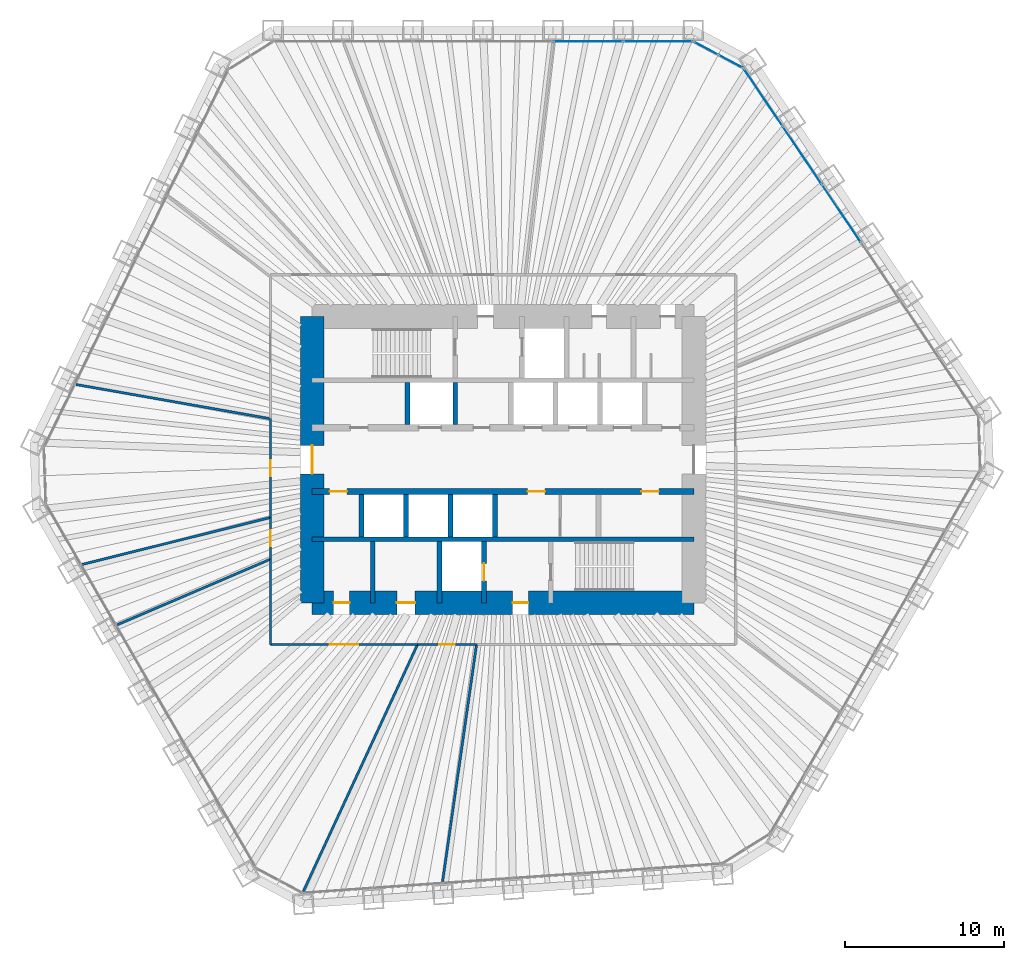
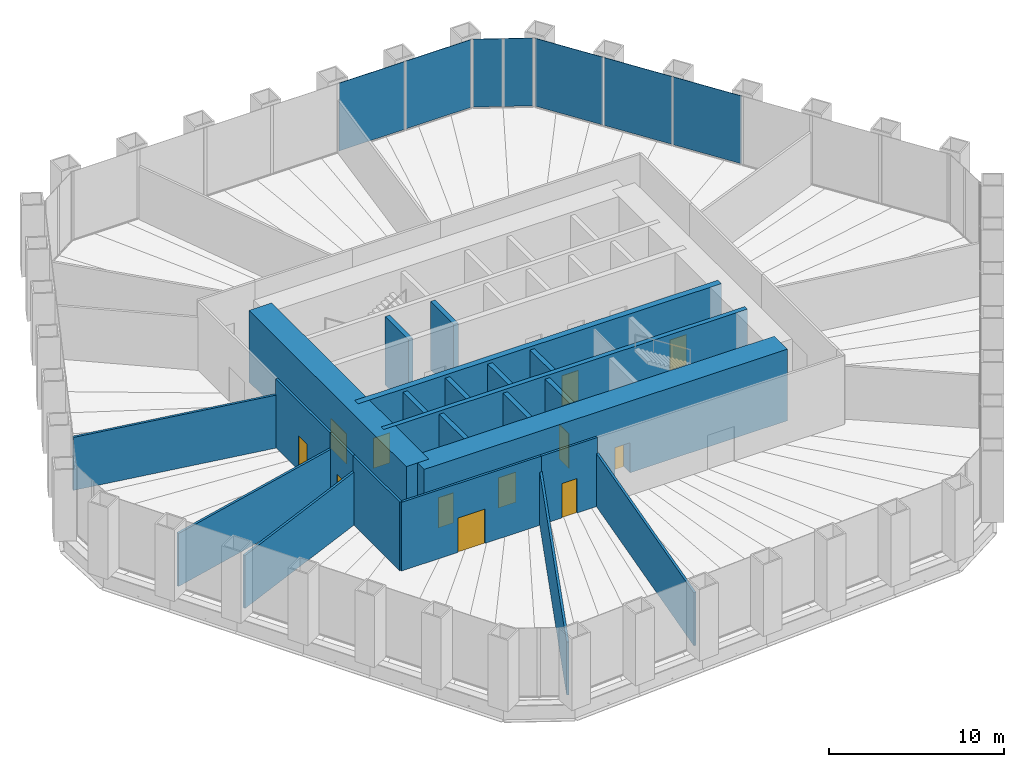
# One storey, part 10 of 13: 23 walls, 12 doors, 7 plates, 12 openings, 3 elements without a shape of their own.
"""IFC4 building model written with IfcOpenShell, lengths in metres."""

import ifcopenshell
import ifcopenshell.guid

model = None  # the IFC model being written
_history = None  # IfcOwnerHistory: only IFC2X3 demands one
_inside = {}  # id of a spatial element -> (the spatial element, [elements in it])
_under = {}  # id of a project, library or spatial element -> (it, [spatial elements below it])
_declared = {}  # id of a project -> (the project, [libraries it declares])
_typed = {}  # id of a type object -> (the type object, [elements of that type])
_made_of = {}  # id of a material, layer set ... -> (it, [elements and type objects made of it])


def new_model(schema):
    """Start an empty IFC model of exactly this schema.

    Asked for "IFC4X3", IfcOpenShell would pick the latest addendum, in which some entities
    have other attributes; the version numbers below select the first issue.
    IFC2X3 requires an IfcOwnerHistory on every rooted entity: one is made here for all.
    """
    global model, _history
    if schema == "IFC4X3":
        model = ifcopenshell.file(schema_version=(4, 3, 0, 0))
    else:
        model = ifcopenshell.file(schema=schema)
    _inside.clear()
    _under.clear()
    _declared.clear()
    _typed.clear()
    _made_of.clear()
    _history = None
    if model.schema == "IFC2X3":
        org = make("IfcOrganization", Name="unknown")
        user = make(
            "IfcPersonAndOrganization",
            ThePerson=make("IfcPerson", FamilyName="unknown"),
            TheOrganization=org,
        )
        app = make(
            "IfcApplication",
            ApplicationDeveloper=org,
            Version="unknown",
            ApplicationFullName="unknown",
            ApplicationIdentifier="unknown",
        )
        _history = make(
            "IfcOwnerHistory",
            OwningUser=user,
            OwningApplication=app,
            ChangeAction="ADDED",
            CreationDate=0,
        )
    return model


def make(cls, **values):
    """One entity of the class cls with the attributes given. An attribute that is None is left unset."""
    return model.create_entity(
        cls, **{name: value for name, value in values.items() if value is not None}
    )


def rooted(cls, **values):
    """An entity with a GlobalId (a new one), such as an element, a storey or a relation."""
    return make(cls, GlobalId=ifcopenshell.guid.new(), OwnerHistory=_history, **values)


def si_unit(unit_type, name, prefix=None):
    """IfcSIUnit, for example si_unit("LENGTHUNIT", "METRE", prefix="MILLI")."""
    return make("IfcSIUnit", UnitType=unit_type, Prefix=prefix, Name=name)


def assignment(units):
    """IfcUnitAssignment: the units of a project."""
    return None if units is None else make("IfcUnitAssignment", Units=units)


def point(xyz):
    """IfcCartesianPoint."""
    return None if xyz is None else make("IfcCartesianPoint", Coordinates=xyz)


def direction(xyz):
    """IfcDirection."""
    return None if xyz is None else make("IfcDirection", DirectionRatios=xyz)


def frame(location, z_axis=None, x_axis=None):
    """IfcAxis2Placement3D, a coordinate frame: its origin and axes. An axis left out is left unset."""
    return make(
        "IfcAxis2Placement3D",
        Location=point(location),
        Axis=direction(z_axis),
        RefDirection=direction(x_axis),
    )


def frame_2d(location, x_axis=None):
    """IfcAxis2Placement2D, a coordinate frame in the plane: its origin and x axis."""
    return make(
        "IfcAxis2Placement2D", Location=point(location), RefDirection=direction(x_axis)
    )


def origin():
    """The frame at (0, 0, 0) with its axes left unset."""
    return frame((0.0, 0.0, 0.0))


def origin_2d():
    """The frame at (0, 0) in the plane with its x axis left unset."""
    return frame_2d((0.0, 0.0))


def place(relative_to, where):
    """IfcLocalPlacement: puts the frame where relative to a parent placement (None: the world)."""
    return make(
        "IfcLocalPlacement", PlacementRelTo=relative_to, RelativePlacement=where
    )


def context(
    kind, dimensions, precision=None, world=None, true_north=None, identifier=None
):
    """IfcGeometricRepresentationContext, for example the 3D "Model" context."""
    return make(
        "IfcGeometricRepresentationContext",
        ContextIdentifier=identifier,
        ContextType=kind,
        CoordinateSpaceDimension=dimensions,
        Precision=precision,
        WorldCoordinateSystem=world,
        TrueNorth=true_north,
    )


def subcontext(parent, identifier, kind, view, scale=None):
    """IfcGeometricRepresentationSubContext, for example "Body" below "Model"."""
    return make(
        "IfcGeometricRepresentationSubContext",
        ContextIdentifier=identifier,
        ContextType=kind,
        ParentContext=parent,
        TargetScale=scale,
        TargetView=view,
    )


def project(units=None, contexts=None):
    """IfcProject with its units and contexts."""
    return rooted(
        "IfcProject",
        Name="project",
        RepresentationContexts=contexts,
        UnitsInContext=assignment(units),
    )


def spatial(cls, under=None, at=None, **own):
    """A site, building, storey or space (cls), placed at a placement, below another one or the project."""
    s = rooted(cls, ObjectPlacement=at, **own)
    if under is not None:
        _under.setdefault(under.id(), (under, []))[1].append(s)
    return s


def profile(cls, at=None, kind="AREA", **sizes):
    """A parametric profile (cls). Its sizes go by their IFC names, for example OverallWidth=200.0."""
    return make(cls, ProfileType=kind, Position=at, **sizes)


def rectangle(**sizes):
    """IfcRectangleProfileDef."""
    return profile("IfcRectangleProfileDef", **sizes)


def extrude(swept, where, along, depth):
    """IfcExtrudedAreaSolid: the profile swept, set in the frame where, extruded along a direction by depth."""
    return make(
        "IfcExtrudedAreaSolid",
        SweptArea=swept,
        Position=where,
        ExtrudedDirection=direction(along),
        Depth=depth,
    )


def shape(context_of_items, identifier, shape_type, items):
    """IfcShapeRepresentation: the items that make up one representation, for example the "Body"."""
    return make(
        "IfcShapeRepresentation",
        ContextOfItems=context_of_items,
        RepresentationIdentifier=identifier,
        RepresentationType=shape_type,
        Items=items,
    )


def material(Name=None, Category=None):
    """IfcMaterial."""
    return make("IfcMaterial", Name=Name, Category=Category)


def layer(
    of_material, thickness, ventilated=None, Name=None, Category=None, Priority=None
):
    """IfcMaterialLayer: one layer of a wall or slab, of a material (None: an air gap)."""
    return make(
        "IfcMaterialLayer",
        Material=of_material,
        LayerThickness=thickness,
        IsVentilated=ventilated,
        Name=Name,
        Category=Category,
        Priority=Priority,
    )


def layer_set(layers, Name=None):
    """IfcMaterialLayerSet."""
    return make("IfcMaterialLayerSet", MaterialLayers=layers, LayerSetName=Name)


def made_of(thing, what):
    """Note that an element or type object is made of a material, layer set ...; save() writes the relation."""
    if what is not None:
        _made_of.setdefault(what.id(), (what, []))[1].append(thing)
    return thing


def type_object(cls, material=None, **own):
    """A type object (cls), such as IfcWallType, which elements share."""
    return made_of(rooted(cls, **own), material)


def element(
    cls,
    number,
    at=None,
    inside=None,
    cuts=None,
    type_object=None,
    material=None,
    context=None,
    identifier="Body",
    shape_type=None,
    held_by="IfcProductDefinitionShape",
    body=None,
    shapes=None,
    **own,
):
    """One element of the class cls, such as IfcWall. Its Tag is "e" and its number.

    at: its placement. inside: the storey or other place that contains it. cuts: it is an
    opening in that element (IfcRelVoidsElement). A single representation is given by context,
    identifier, shape_type and body (its items); several are given by shapes. held_by: the class
    of the entity that holds the representations. save() writes the other relations.
    """
    e = rooted(cls, Tag="e%d" % number, ObjectPlacement=at, **own)
    if body is not None:
        shapes = [shape(context, identifier, shape_type, body)]
    if shapes is not None:
        e.Representation = make(held_by, Representations=shapes)
    if inside is not None:
        _inside.setdefault(inside.id(), (inside, []))[1].append(e)
    if cuts is not None:
        rooted(
            "IfcRelVoidsElement", RelatingBuildingElement=cuts, RelatedOpeningElement=e
        )
    if type_object is not None:
        _typed.setdefault(type_object.id(), (type_object, []))[1].append(e)
    return made_of(e, material)


def fill(opening, filler):
    """IfcRelFillsElement: the door or window that sits in an opening."""
    return rooted(
        "IfcRelFillsElement",
        RelatingOpeningElement=opening,
        RelatedBuildingElement=filler,
    )


def aggregate(whole, parts):
    """IfcRelAggregates: a whole, such as a stair, and the parts it consists of."""
    return rooted("IfcRelAggregates", RelatingObject=whole, RelatedObjects=parts)


def save(model, path):
    """Write the relations noted so far, then the file.

    IfcRelAggregates (storeys below a building ...), IfcRelContainedInSpatialStructure (elements
    in a storey), IfcRelDefinesByType, IfcRelAssociatesMaterial and IfcRelDeclares: one each for
    every whole, place, type object, material and project.
    """
    for whole, parts in _under.values():
        aggregate(whole, parts)
    for where, things in _inside.values():
        rooted(
            "IfcRelContainedInSpatialStructure",
            RelatedElements=things,
            RelatingStructure=where,
        )
    for kind, things in _typed.values():
        rooted("IfcRelDefinesByType", RelatedObjects=things, RelatingType=kind)
    for what, things in _made_of.values():
        rooted("IfcRelAssociatesMaterial", RelatedObjects=things, RelatingMaterial=what)
    for by, libraries in _declared.values():
        rooted("IfcRelDeclares", RelatingContext=by, RelatedDefinitions=libraries)
    model.write(path)


model = new_model("IFC4")

# Units and contexts
model_context = context("Model", 3, precision=1e-05, world=origin(), true_north=direction((0.0, 1.0)))
body_context = subcontext(model_context, "Body", "Model", "MODEL_VIEW")
ifc_project = project(units=[si_unit("LENGTHUNIT", "METRE"), si_unit("AREAUNIT", "SQUARE_METRE"), si_unit("VOLUMEUNIT", "CUBIC_METRE"), si_unit("PLANEANGLEUNIT", "RADIAN"), si_unit("MASSUNIT", "GRAM", prefix="KILO")], contexts=[model_context])

# Site, building, storey
site_placement = place(None, origin())
site = spatial("IfcSite", under=ifc_project, at=site_placement, CompositionType="ELEMENT")
building_placement = place(site_placement, origin())
building = spatial("IfcBuilding", under=site, at=building_placement, Name="Qingtian Harvest Tower", CompositionType="ELEMENT")
storey_placement = place(building_placement, frame((0.0, 0.0, 42.0)))
storey = spatial("IfcBuildingStorey", under=building, at=storey_placement, Name="L08", CompositionType="ELEMENT", Elevation=42.0)

# Curtain wall, plates
ifc_material_1 = material(Name="Bronze-anodised aluminium curtain wall", Category="aluminium")
curtain_wall_type = type_object("IfcCurtainWallType", Name="Curtain wall CW2 farm reception", PredefinedType="USERDEFINED", material=ifc_material_1)
curtain_wall_1_placement = place(storey_placement, origin())
curtain_wall_1 = element("IfcCurtainWall", 1, at=curtain_wall_1_placement, inside=storey, type_object=curtain_wall_type, Name="Curtain wall CW2 L08 N0-5", ObjectType="RECESSED CURTAIN WALL", PredefinedType="USERDEFINED")
ifc_material_2 = material(Name="Bronze-tinted laminated insulating glass", Category="glass")
ifc_layer_1 = layer(ifc_material_2, 0.030029296875)
ifc_layer_set_1 = layer_set([ifc_layer_1], Name="Glazed panel CWP tinted IGU")
plate_type = type_object("IfcPlateType", Name="Glazed panel CWP tinted IGU", PredefinedType="CURTAIN_PANEL", material=ifc_layer_set_1)
plate_1_placement = place(storey_placement, frame((5.349365234375, 26.300048828125, 0.06494140625), z_axis=(0.0, 0.0, 1.0), x_axis=(1.0, 0.0, 0.0)))
plate_1 = element("IfcPlate", 2, at=plate_1_placement, type_object=plate_type, Name="CW2 panel 5.1", PredefinedType="CURTAIN_PANEL", context=body_context, shape_type="SweptSolid", body=[
    extrude(rectangle(XDim=4.339599609375, YDim=0.030029296875, at=origin_2d()), origin(), (0.0, 0.0, 1.0), 4.735107421875),
])
plate_2_placement = place(storey_placement, frame((9.737548828125, 26.300048828125, 0.06494140625), z_axis=(0.0, 0.0, 1.0), x_axis=(1.0, 0.0, 0.0)))
plate_2 = element("IfcPlate", 3, at=plate_2_placement, type_object=plate_type, Name="CW2 panel 6.1", PredefinedType="CURTAIN_PANEL", context=body_context, shape_type="SweptSolid", body=[
    extrude(rectangle(XDim=4.30712890625, YDim=0.030029296875, at=origin_2d()), origin(), (0.0, 0.0, 1.0), 4.735107421875),
])
aggregate(curtain_wall_1, [plate_1, plate_2])

curtain_wall_2_placement = place(storey_placement, origin())
curtain_wall_2 = element("IfcCurtainWall", 4, at=curtain_wall_2_placement, inside=storey, type_object=curtain_wall_type, Name="Curtain wall CW2 L08 NC", ObjectType="RECESSED CURTAIN WALL", PredefinedType="USERDEFINED")
plate_3_placement = place(storey_placement, frame((12.760986328125, 25.8720703125, 0.06494140625), z_axis=(0.0, 0.0, 1.0), x_axis=(0.882947592859, -0.469471562786, 0.0)))
plate_3 = element("IfcPlate", 5, at=plate_3_placement, type_object=plate_type, Name="CW2 panel 1.1", PredefinedType="CURTAIN_PANEL", context=body_context, shape_type="SweptSolid", body=[
    extrude(rectangle(XDim=1.69287109375, YDim=0.030029296875, at=origin_2d()), origin(), (0.0, 0.0, 1.0), 4.735107421875),
])
plate_4_placement = place(storey_placement, frame((14.31298828125, 25.046875, 0.06494140625), z_axis=(0.0, 0.0, 1.0), x_axis=(0.882947592859, -0.469471562786, 0.0)))
plate_4 = element("IfcPlate", 6, at=plate_4_placement, type_object=plate_type, Name="CW2 panel 2.1", PredefinedType="CURTAIN_PANEL", context=body_context, shape_type="SweptSolid", body=[
    extrude(rectangle(XDim=1.69287109375, YDim=0.030029296875, at=origin_2d()), origin(), (0.0, 0.0, 1.0), 4.735107421875),
])
aggregate(curtain_wall_2, [plate_3, plate_4])

curtain_wall_3_placement = place(storey_placement, origin())
curtain_wall_3 = element("IfcCurtainWall", 7, at=curtain_wall_3_placement, inside=storey, type_object=curtain_wall_type, Name="Curtain wall CW2 L08 NE0-5", ObjectType="RECESSED CURTAIN WALL", PredefinedType="USERDEFINED")
plate_5_placement = place(storey_placement, frame((16.3583984375, 22.779541015625, 0.06494140625), z_axis=(0.0, 0.0, 1.0), x_axis=(0.559192903471, -0.829037572555, 0.0)))
plate_5 = element("IfcPlate", 8, at=plate_5_placement, type_object=plate_type, Name="CW2 panel 1.1", PredefinedType="CURTAIN_PANEL", context=body_context, shape_type="SweptSolid", body=[
    extrude(rectangle(XDim=4.30712890625, YDim=0.030029296875, at=origin_2d()), origin(), (0.0, 0.0, 1.0), 4.735107421875),
])
plate_6_placement = place(storey_placement, frame((18.8125, 19.1416015625, 0.06494140625), z_axis=(0.0, 0.0, 1.0), x_axis=(0.559192903471, -0.829037572555, 0.0)))
plate_6 = element("IfcPlate", 9, at=plate_6_placement, type_object=plate_type, Name="CW2 panel 2.1", PredefinedType="CURTAIN_PANEL", context=body_context, shape_type="SweptSolid", body=[
    extrude(rectangle(XDim=4.339599609375, YDim=0.030029296875, at=origin_2d()), origin(), (0.0, 0.0, 1.0), 4.735107421875),
])
plate_7_placement = place(storey_placement, frame((21.275390625, 15.489990234375, 0.06494140625), z_axis=(0.0, 0.0, 1.0), x_axis=(0.559192903471, -0.829037572555, 0.0)))
plate_7 = element("IfcPlate", 10, at=plate_7_placement, type_object=plate_type, Name="CW2 panel 3.1", PredefinedType="CURTAIN_PANEL", context=body_context, shape_type="SweptSolid", body=[
    extrude(rectangle(XDim=4.339599609375, YDim=0.030029296875, at=origin_2d()), origin(), (0.0, 0.0, 1.0), 4.735107421875),
])
aggregate(curtain_wall_3, [plate_5, plate_6, plate_7])

# Wall
ifc_material_3 = material(Name="Concrete fc' 70 MPa", Category="concrete")
ifc_layer_2 = layer(ifc_material_3, 0.300048828125)
ifc_layer_set_2 = layer_set([ifc_layer_2], Name="Core inner wall RC5 300")
wall_type_1 = type_object("IfcWallType", Name="Core inner wall RC5 300", PredefinedType="SHEAR", material=ifc_layer_set_2)
wall_1_placement = place(storey_placement, frame((-12.0, -5.0, 0.0), z_axis=(0.0, 0.0, 1.0), x_axis=(1.0, 0.0, 0.0)))
element("IfcWall", 11, at=wall_1_placement, inside=storey, type_object=wall_type_1, Name="Core wall IS5 L08", PredefinedType="SHEAR", context=body_context, shape_type="SweptSolid", body=[
    extrude(rectangle(XDim=24.0, YDim=0.300048828125, at=frame_2d((12.0, 0.0))), origin(), (0.0, 0.0, 1.0), 5.0),
])

# Wall, openings, doors
ifc_material_4 = material(Name="Concrete fc' 70 MPa", Category="concrete")
ifc_layer_3 = layer(ifc_material_4, 0.39990234375)
ifc_layer_set_3 = layer_set([ifc_layer_3], Name="Core inner web RC6 400")
wall_type_2 = type_object("IfcWallType", Name="Core inner web RC6 400", PredefinedType="SHEAR", material=ifc_layer_set_3)
wall_2_placement = place(storey_placement, frame((-12.0, -2.0, 0.0), z_axis=(0.0, 0.0, 1.0), x_axis=(1.0, 0.0, 0.0)))
wall_2 = element("IfcWall", 12, at=wall_2_placement, inside=storey, type_object=wall_type_2, Name="Core wall IS2 L08", PredefinedType="SHEAR", context=body_context, shape_type="SweptSolid", body=[
    extrude(rectangle(XDim=24.0, YDim=0.39990234375, at=frame_2d((12.0, 0.0))), origin(), (0.0, 0.0, 1.0), 5.0),
])
opening_1_placement = place(wall_2_placement, frame((1.10009765625, 0.0, 0.0)))
opening_1 = element("IfcOpeningElement", 13, at=opening_1_placement, cuts=wall_2, Name="Opening FD4", PredefinedType="OPENING", context=body_context, shape_type="SweptSolid", body=[
    extrude(rectangle(XDim=1.10009765625, YDim=2.10009765625, at=frame_2d((0.550048828125, 1.050048828125))), frame((0.0, 0.2099609375, 0.0), z_axis=(0.0, -1.0, 0.0), x_axis=(1.0, 0.0, 0.0)), (0.0, 0.0, 1.0), 0.419921875),
])
opening_2_placement = place(wall_2_placement, frame((13.550048828125, 0.0, 0.0)))
opening_2 = element("IfcOpeningElement", 14, at=opening_2_placement, cuts=wall_2, Name="Opening FD4", PredefinedType="OPENING", context=body_context, shape_type="SweptSolid", body=[
    extrude(rectangle(XDim=1.10009765625, YDim=2.10009765625, at=frame_2d((0.550048828125, 1.050048828125))), frame((0.0, 0.2099609375, 0.0), z_axis=(0.0, -1.0, 0.0), x_axis=(1.0, 0.0, 0.0)), (0.0, 0.0, 1.0), 0.419921875),
])
opening_3_placement = place(wall_2_placement, frame((20.699951171875, 0.0, 0.0)))
opening_3 = element("IfcOpeningElement", 15, at=opening_3_placement, cuts=wall_2, Name="Opening FD4", PredefinedType="OPENING", context=body_context, shape_type="SweptSolid", body=[
    extrude(rectangle(XDim=1.10009765625, YDim=2.10009765625, at=frame_2d((0.550048828125, 1.050048828125))), frame((0.0, 0.2099609375, 0.0), z_axis=(0.0, -1.0, 0.0), x_axis=(1.0, 0.0, 0.0)), (0.0, 0.0, 1.0), 0.419921875),
])
ifc_material_5 = material(Name="Steel-faced door leaf", Category="steel")
door_type_1 = type_object("IfcDoorType", Name="Fire door FD4 single 2 HR", OperationType="SINGLE_SWING_LEFT", PredefinedType="DOOR", material=ifc_material_5)
door_1_placement = place(opening_1_placement, origin())
door_1 = element("IfcDoor", 16, at=door_1_placement, inside=storey, type_object=door_type_1, Name="RB door L08", OperationType="SINGLE_SWING_LEFT", OverallHeight=2.10009765625, OverallWidth=1.10009765625, PredefinedType="DOOR", context=body_context, shape_type="SweptSolid", body=[
    extrude(rectangle(XDim=1.10009765625, YDim=2.10009765625, at=frame_2d((0.550048828125, 1.050048828125))), frame((0.0, 0.02490234375, 0.0), z_axis=(0.0, -1.0, 0.0), x_axis=(1.0, 0.0, 0.0)), (0.0, 0.0, 1.0), 0.050048828125),
])
fill(opening_1, door_1)
door_2_placement = place(opening_2_placement, origin())
door_2 = element("IfcDoor", 17, at=door_2_placement, inside=storey, type_object=door_type_1, Name="ELEC door L08", OperationType="SINGLE_SWING_LEFT", OverallHeight=2.10009765625, OverallWidth=1.10009765625, PredefinedType="DOOR", context=body_context, shape_type="SweptSolid", body=[
    extrude(rectangle(XDim=1.10009765625, YDim=2.10009765625, at=frame_2d((0.550048828125, 1.050048828125))), frame((0.0, 0.02490234375, 0.0), z_axis=(0.0, -1.0, 0.0), x_axis=(1.0, 0.0, 0.0)), (0.0, 0.0, 1.0), 0.050048828125),
])
fill(opening_2, door_2)
door_3_placement = place(opening_3_placement, origin())
door_3 = element("IfcDoor", 18, at=door_3_placement, inside=storey, type_object=door_type_1, Name="DUCT door L08", OperationType="SINGLE_SWING_RIGHT", OverallHeight=2.10009765625, OverallWidth=1.10009765625, PredefinedType="DOOR", context=body_context, shape_type="SweptSolid", body=[
    extrude(rectangle(XDim=1.10009765625, YDim=2.10009765625, at=frame_2d((0.550048828125, 1.050048828125))), frame((0.0, 0.02490234375, 0.0), z_axis=(0.0, -1.0, 0.0), x_axis=(1.0, 0.0, 0.0)), (0.0, 0.0, 1.0), 0.050048828125),
])
fill(opening_3, door_3)

# Walls
ifc_material_6 = material(Name="Precast concrete shaft panel", Category="concrete")
ifc_layer_4 = layer(ifc_material_6, 0.300048828125)
ifc_layer_set_4 = layer_set([ifc_layer_4], Name="Core shaft partition SW1 300")
wall_type_3 = type_object("IfcWallType", Name="Core shaft partition SW1 300", PredefinedType="PARTITIONING", material=ifc_layer_set_4)
for number, where, z_axis, x_axis, name in (
    (19, (-6.0, 2.199951171875, 0.0), (0.0, 0.0, 1.0), (0.0, 1.0, 0.0), "Core shaft partition XA1 L08"),
    (20, (-3.0, 2.199951171875, 0.0), (0.0, 0.0, 1.0), (0.0, 1.0, 0.0), "Core shaft partition XA2 L08"),
    (21, (-8.89990234375, -4.85009765625, 0.0), (0.0, 0.0, 1.0), (0.0, 1.0, 0.0), "Core shaft partition XB1 L08"),
    (22, (-6.10009765625, -4.85009765625, 0.0), (0.0, 0.0, 1.0), (0.0, 1.0, 0.0), "Core shaft partition XB2 L08"),
    (23, (-3.300048828125, -4.85009765625, 0.0), (0.0, 0.0, 1.0), (0.0, 1.0, 0.0), "Core shaft partition XB3 L08"),
    (24, (-0.5, -4.85009765625, 0.0), (0.0, 0.0, 1.0), (0.0, 1.0, 0.0), "Core shaft partition XB4 L08"),
):
    element("IfcWall", number, at=place(storey_placement, frame(where, z_axis=z_axis, x_axis=x_axis)), inside=storey, type_object=wall_type_3, Name=name, PredefinedType="PARTITIONING", context=body_context, shape_type="SweptSolid", body=[
        extrude(rectangle(XDim=2.650146484375, YDim=0.300048828125, at=frame_2d((1.3251953125, 0.0))), origin(), (0.0, 0.0, 1.0), 4.780029296875),
    ])
for number, where, z_axis, x_axis, name in (
    (25, (-8.199951171875, -9.0, 0.0), (0.0, 0.0, 1.0), (0.0, 1.0, 0.0), "Core shaft partition XS1 L08"),
    (26, (-4.0, -9.0, 0.0), (0.0, 0.0, 1.0), (0.0, 1.0, 0.0), "Core shaft partition XS2 L08"),
):
    element("IfcWall", number, at=place(storey_placement, frame(where, z_axis=z_axis, x_axis=x_axis)), inside=storey, type_object=wall_type_3, Name=name, PredefinedType="PARTITIONING", context=body_context, shape_type="SweptSolid", body=[
        extrude(rectangle(XDim=3.85009765625, YDim=0.300048828125, at=frame_2d((1.925048828125, 0.0))), origin(), (0.0, 0.0, 1.0), 4.780029296875),
    ])

# Wall, opening, door
wall_3_placement = place(storey_placement, frame((-1.199951171875, -9.0, 0.0), z_axis=(0.0, 0.0, 1.0), x_axis=(0.0, 1.0, 0.0)))
wall_3 = element("IfcWall", 27, at=wall_3_placement, inside=storey, type_object=wall_type_3, Name="Core shaft partition XS3 L08", PredefinedType="PARTITIONING", context=body_context, shape_type="SweptSolid", body=[
    extrude(rectangle(XDim=3.85009765625, YDim=0.300048828125, at=frame_2d((1.925048828125, 0.0))), origin(), (0.0, 0.0, 1.0), 4.780029296875),
])
opening_4_placement = place(wall_3_placement, frame((1.375, 0.0, 0.0)))
opening_4 = element("IfcOpeningElement", 28, at=opening_4_placement, cuts=wall_3, Name="Opening LD1", PredefinedType="OPENING", context=body_context, shape_type="SweptSolid", body=[
    extrude(rectangle(XDim=1.10009765625, YDim=2.39990234375, at=frame_2d((0.550048828125, 1.199951171875))), frame((0.0, 0.159912109375, 0.0), z_axis=(0.0, -1.0, 0.0), x_axis=(1.0, 0.0, 0.0)), (0.0, 0.0, 1.0), 0.320068359375),
])
ifc_material_7 = material(Name="Stainless steel lift landing door", Category="steel")
door_type_2 = type_object("IfcDoorType", Name="Lift landing door LD1 1 HR", OperationType="DOUBLE_DOOR_SLIDING", PredefinedType="DOOR", material=ifc_material_7)
door_4_placement = place(opening_4_placement, origin())
door_4 = element("IfcDoor", 29, at=door_4_placement, inside=storey, type_object=door_type_2, Name="FL2 landing door L08", OperationType="DOUBLE_DOOR_SLIDING", OverallHeight=2.39990234375, OverallWidth=1.10009765625, PredefinedType="DOOR", context=body_context, shape_type="SweptSolid", body=[
    extrude(rectangle(XDim=1.10009765625, YDim=2.39990234375, at=frame_2d((0.550048828125, 1.199951171875))), frame((0.0, 0.02490234375, 0.0), z_axis=(0.0, -1.0, 0.0), x_axis=(1.0, 0.0, 0.0)), (0.0, 0.0, 1.0), 0.050048828125),
])
fill(opening_4, door_4)

# Wall, openings, doors
ifc_material_8 = material(Name="Concrete fc' 70 MPa", Category="concrete")
ifc_layer_5 = layer(ifc_material_8, 1.5)
ifc_layer_set_5 = layer_set([ifc_layer_5], Name="Core wall RC1 1500")
wall_type_4 = type_object("IfcWallType", Name="Core wall RC1 1500", PredefinedType="SHEAR", material=ifc_layer_set_5)
wall_4_placement = place(storey_placement, frame((-12.0, -9.0, 0.0), z_axis=(0.0, 0.0, 1.0), x_axis=(1.0, 0.0, 0.0)))
wall_4 = element("IfcWall", 30, at=wall_4_placement, inside=storey, type_object=wall_type_4, Name="Core wall CS L08", PredefinedType="SHEAR", context=body_context, shape_type="SweptSolid", body=[
    extrude(rectangle(XDim=24.0, YDim=1.5, at=frame_2d((12.0, 0.0))), origin(), (0.0, 0.0, 1.0), 5.0),
])
opening_5_placement = place(wall_4_placement, frame((1.35009765625, 0.0, 0.0)))
opening_5 = element("IfcOpeningElement", 31, at=opening_5_placement, cuts=wall_4, Name="Opening FD1", PredefinedType="OPENING", context=body_context, shape_type="SweptSolid", body=[
    extrude(rectangle(XDim=1.0, YDim=2.10009765625, at=frame_2d((0.5, 1.050048828125))), frame((0.0, 0.760009765625, 0.0), z_axis=(0.0, -1.0, 0.0), x_axis=(1.0, 0.0, 0.0)), (0.0, 0.0, 1.0), 1.52001953125),
])
opening_6_placement = place(wall_4_placement, frame((5.324951171875, 0.0, 0.0)))
opening_6 = element("IfcOpeningElement", 32, at=opening_6_placement, cuts=wall_4, Name="Opening AD1", PredefinedType="OPENING", context=body_context, shape_type="SweptSolid", body=[
    extrude(rectangle(XDim=1.14990234375, YDim=2.10009765625, at=frame_2d((0.574951171875, 1.050048828125))), frame((0.0, 0.760009765625, 0.0), z_axis=(0.0, -1.0, 0.0), x_axis=(1.0, 0.0, 0.0)), (0.0, 0.0, 1.0), 1.52001953125),
])
opening_7_placement = place(wall_4_placement, frame((12.60009765625, 0.0, 0.0)))
opening_7 = element("IfcOpeningElement", 33, at=opening_7_placement, cuts=wall_4, Name="Opening FD1", PredefinedType="OPENING", context=body_context, shape_type="SweptSolid", body=[
    extrude(rectangle(XDim=1.0, YDim=2.10009765625, at=frame_2d((0.5, 1.050048828125))), frame((0.0, 0.760009765625, 0.0), z_axis=(0.0, -1.0, 0.0), x_axis=(1.0, 0.0, 0.0)), (0.0, 0.0, 1.0), 1.52001953125),
])
ifc_material_9 = material(Name="Laminated timber door leaf", Category="wood")
door_type_3 = type_object("IfcDoorType", Name="Accessible WC door AD1 single", OperationType="SINGLE_SWING_LEFT", PredefinedType="DOOR", material=ifc_material_9)
door_5_placement = place(opening_6_placement, origin())
door_5 = element("IfcDoor", 34, at=door_5_placement, inside=storey, type_object=door_type_3, Name="AWC door L08", OperationType="SINGLE_SWING_RIGHT", OverallHeight=2.10009765625, OverallWidth=1.14990234375, PredefinedType="DOOR", context=body_context, shape_type="SweptSolid", body=[
    extrude(rectangle(XDim=1.14990234375, YDim=2.10009765625, at=frame_2d((0.574951171875, 1.050048828125))), frame((0.0, 0.02490234375, 0.0), z_axis=(0.0, -1.0, 0.0), x_axis=(1.0, 0.0, 0.0)), (0.0, 0.0, 1.0), 0.050048828125),
])
fill(opening_6, door_5)
ifc_material_10 = material(Name="Steel-faced door leaf", Category="steel")
door_type_4 = type_object("IfcDoorType", Name="Fire door FD1 single 1 HR", OperationType="SINGLE_SWING_LEFT", PredefinedType="DOOR", material=ifc_material_10)
door_6_placement = place(opening_5_placement, origin())
door_6 = element("IfcDoor", 35, at=door_6_placement, inside=storey, type_object=door_type_4, Name="CLN door L08", OperationType="SINGLE_SWING_LEFT", OverallHeight=2.10009765625, OverallWidth=1.0, PredefinedType="DOOR", context=body_context, shape_type="SweptSolid", body=[
    extrude(rectangle(XDim=1.0, YDim=2.10009765625, at=frame_2d((0.5, 1.050048828125))), frame((0.0, 0.02490234375, 0.0), z_axis=(0.0, -1.0, 0.0), x_axis=(1.0, 0.0, 0.0)), (0.0, 0.0, 1.0), 0.050048828125),
])
fill(opening_5, door_6)
door_7_placement = place(opening_7_placement, origin())
door_7 = element("IfcDoor", 36, at=door_7_placement, inside=storey, type_object=door_type_4, Name="V2 door L08", OperationType="SINGLE_SWING_RIGHT", OverallHeight=2.10009765625, OverallWidth=1.0, PredefinedType="DOOR", context=body_context, shape_type="SweptSolid", body=[
    extrude(rectangle(XDim=1.0, YDim=2.10009765625, at=frame_2d((0.5, 1.050048828125))), frame((0.0, 0.02490234375, 0.0), z_axis=(0.0, -1.0, 0.0), x_axis=(1.0, 0.0, 0.0)), (0.0, 0.0, 1.0), 0.050048828125),
])
fill(opening_7, door_7)

# Wall, opening, door
wall_5_placement = place(storey_placement, frame((-12.0, -9.0, 0.0), z_axis=(0.0, 0.0, 1.0), x_axis=(0.0, 1.0, 0.0)))
wall_5 = element("IfcWall", 37, at=wall_5_placement, inside=storey, type_object=wall_type_4, Name="Core wall CW L08", PredefinedType="SHEAR", context=body_context, shape_type="SweptSolid", body=[
    extrude(rectangle(XDim=18.0, YDim=1.5, at=frame_2d((9.0, 0.0))), origin(), (0.0, 0.0, 1.0), 5.0),
])
opening_8_placement = place(wall_5_placement, frame((8.10009765625, 0.0, 0.0)))
opening_8 = element("IfcOpeningElement", 38, at=opening_8_placement, cuts=wall_5, Name="Opening FD2", PredefinedType="OPENING", context=body_context, shape_type="SweptSolid", body=[
    extrude(rectangle(XDim=1.800048828125, YDim=2.10009765625, at=frame_2d((0.89990234375, 1.050048828125))), frame((0.0, 0.760009765625, 0.0), z_axis=(0.0, -1.0, 0.0), x_axis=(1.0, 0.0, 0.0)), (0.0, 0.0, 1.0), 1.52001953125),
])
ifc_material_11 = material(Name="Steel-faced door leaf", Category="steel")
door_type_5 = type_object("IfcDoorType", Name="Fire door FD2 double 1 HR", OperationType="DOUBLE_DOOR_DOUBLE_SWING", PredefinedType="DOOR", material=ifc_material_11)
door_8_placement = place(opening_8_placement, origin())
door_8 = element("IfcDoor", 39, at=door_8_placement, inside=storey, type_object=door_type_5, Name="LOBBY-W door L08", OperationType="DOUBLE_DOOR_DOUBLE_SWING", OverallHeight=2.10009765625, OverallWidth=1.800048828125, PredefinedType="DOOR", context=body_context, shape_type="SweptSolid", body=[
    extrude(rectangle(XDim=1.800048828125, YDim=2.10009765625, at=frame_2d((0.89990234375, 1.050048828125))), frame((0.0, 0.02490234375, 0.0), z_axis=(0.0, -1.0, 0.0), x_axis=(1.0, 0.0, 0.0)), (0.0, 0.0, 1.0), 0.050048828125),
])
fill(opening_8, door_8)

# Wall
ifc_material_12 = material(Name="Gypsum board on steel studs", Category="steel")
ifc_layer_6 = layer(ifc_material_12, 0.14990234375)
ifc_layer_set_6 = layer_set([ifc_layer_6], Name="Partition PT1 150")
wall_type_5 = type_object("IfcWallType", Name="Partition PT1 150", PredefinedType="PARTITIONING", material=ifc_layer_set_6)
wall_6_placement = place(storey_placement, frame((-3.7998046875, -26.531982421875, 0.0), z_axis=(0.0, 0.0, 1.0), x_axis=(0.14177542097, 0.989898848372, 0.0)))
element("IfcWall", 40, at=wall_6_placement, inside=storey, type_object=wall_type_5, Name="Nutrient dosing room wall L08", PredefinedType="PARTITIONING", context=body_context, shape_type="SweptSolid", body=[
    extrude(rectangle(XDim=15.05908203125, YDim=0.14990234375, at=frame_2d((7.529541015625, 0.0))), origin(), (0.0, 0.0, 1.0), 3.699951171875),
])

# Wall, opening, door
wall_7_placement = place(storey_placement, frame((-1.664794921875, -11.625, 0.0), z_axis=(0.0, 0.0, 1.0), x_axis=(-1.0, 0.0, 0.0)))
wall_7 = element("IfcWall", 41, at=wall_7_placement, inside=storey, type_object=wall_type_5, Name="Nutrient dosing room wall L08", PredefinedType="PARTITIONING", context=body_context, shape_type="SweptSolid", body=[
    extrude(rectangle(XDim=3.7119140625, YDim=0.14990234375, at=frame_2d((1.85595703125, 0.0))), origin(), (0.0, 0.0, 1.0), 4.800048828125),
])
opening_9_placement = place(wall_7_placement, frame((1.35595703125, 0.0, 0.0)))
opening_9 = element("IfcOpeningElement", 42, at=opening_9_placement, cuts=wall_7, Name="Opening D2", PredefinedType="OPENING", context=body_context, shape_type="SweptSolid", body=[
    extrude(rectangle(XDim=1.0, YDim=2.39990234375, at=frame_2d((0.5, 1.199951171875))), frame((0.0, 0.0849609375, 0.0), z_axis=(0.0, -1.0, 0.0), x_axis=(1.0, 0.0, 0.0)), (0.0, 0.0, 1.0), 0.169921875),
])
ifc_material_13 = material(Name="Laminated timber door leaf", Category="wood")
door_type_6 = type_object("IfcDoorType", Name="Room door D2 single", OperationType="SINGLE_SWING_LEFT", PredefinedType="DOOR", material=ifc_material_13)
door_9_placement = place(opening_9_placement, origin())
door_9 = element("IfcDoor", 43, at=door_9_placement, inside=storey, type_object=door_type_6, Name="Nutrient dosing room door L08", OperationType="SINGLE_SWING_LEFT", OverallHeight=2.39990234375, OverallWidth=1.0, PredefinedType="DOOR", context=body_context, shape_type="SweptSolid", body=[
    extrude(rectangle(XDim=1.0, YDim=2.39990234375, at=frame_2d((0.5, 1.199951171875))), frame((0.0, 0.02490234375, 0.0), z_axis=(0.0, -1.0, 0.0), x_axis=(1.0, 0.0, 0.0)), (0.0, 0.0, 1.0), 0.050048828125),
])
fill(opening_9, door_9)

# Wall
wall_8_placement = place(storey_placement, frame((-12.5595703125, -27.154541015625, 0.0), z_axis=(0.0, 0.0, 1.0), x_axis=(0.419799104875, 0.907617051154, 0.0)))
element("IfcWall", 44, at=wall_8_placement, inside=storey, type_object=wall_type_5, Name="Lettuce growing room wall L08", PredefinedType="PARTITIONING", context=body_context, shape_type="SweptSolid", body=[
    extrude(rectangle(XDim=17.1103515625, YDim=0.14990234375, at=frame_2d((8.55517578125, 0.0))), origin(), (0.0, 0.0, 1.0), 3.699951171875),
])

# Wall, opening, door
wall_9_placement = place(storey_placement, frame((-5.376708984375, -11.625, 0.0), z_axis=(0.0, 0.0, 1.0), x_axis=(-1.0, 0.0, 0.0)))
wall_9 = element("IfcWall", 45, at=wall_9_placement, inside=storey, type_object=wall_type_5, Name="Lettuce growing room wall L08", PredefinedType="PARTITIONING", context=body_context, shape_type="SweptSolid", body=[
    extrude(rectangle(XDim=9.248291015625, YDim=0.14990234375, at=frame_2d((4.6240234375, 0.0))), origin(), (0.0, 0.0, 1.0), 4.800048828125),
])
opening_10_placement = place(wall_9_placement, frame((3.72412109375, 0.0, 0.0)))
opening_10 = element("IfcOpeningElement", 46, at=opening_10_placement, cuts=wall_9, Name="Opening D3", PredefinedType="OPENING", context=body_context, shape_type="SweptSolid", body=[
    extrude(rectangle(XDim=1.800048828125, YDim=2.39990234375, at=frame_2d((0.89990234375, 1.199951171875))), frame((0.0, 0.0849609375, 0.0), z_axis=(0.0, -1.0, 0.0), x_axis=(1.0, 0.0, 0.0)), (0.0, 0.0, 1.0), 0.169921875),
])
ifc_material_14 = material(Name="Laminated timber door leaf", Category="wood")
door_type_7 = type_object("IfcDoorType", Name="Room door D3 double", OperationType="DOUBLE_DOOR_DOUBLE_SWING", PredefinedType="DOOR", material=ifc_material_14)
door_10_placement = place(opening_10_placement, origin())
door_10 = element("IfcDoor", 47, at=door_10_placement, inside=storey, type_object=door_type_7, Name="Lettuce growing room door L08", OperationType="DOUBLE_DOOR_DOUBLE_SWING", OverallHeight=2.39990234375, OverallWidth=1.800048828125, PredefinedType="DOOR", context=body_context, shape_type="SweptSolid", body=[
    extrude(rectangle(XDim=1.800048828125, YDim=2.39990234375, at=frame_2d((0.89990234375, 1.199951171875))), frame((0.0, 0.02490234375, 0.0), z_axis=(0.0, -1.0, 0.0), x_axis=(1.0, 0.0, 0.0)), (0.0, 0.0, 1.0), 0.050048828125),
])
fill(opening_10, door_10)

# Walls
wall_10_placement = place(storey_placement, frame((-14.625, -11.625, 0.0), z_axis=(0.0, 0.0, 1.0), x_axis=(0.0, 1.0, 0.0)))
element("IfcWall", 48, at=wall_10_placement, inside=storey, type_object=wall_type_5, Name="Lettuce growing room wall L08", PredefinedType="PARTITIONING", context=body_context, shape_type="SweptSolid", body=[
    extrude(rectangle(XDim=5.36376953125, YDim=0.14990234375, at=frame_2d((2.681884765625, 0.0))), origin(), (0.0, 0.0, 1.0), 4.800048828125),
])
wall_11_placement = place(storey_placement, frame((-24.258056640625, -10.38525390625, 0.0), z_axis=(0.0, 0.0, 1.0), x_axis=(0.919298009201, 0.393562155547, 0.0)))
element("IfcWall", 49, at=wall_11_placement, inside=storey, type_object=wall_type_5, Name="Gowning room wall L08", PredefinedType="PARTITIONING", context=body_context, shape_type="SweptSolid", body=[
    extrude(rectangle(XDim=10.478759765625, YDim=0.14990234375, at=frame_2d((5.2392578125, 0.0))), origin(), (0.0, 0.0, 1.0), 3.699951171875),
])

# Wall, opening, door
wall_12_placement = place(storey_placement, frame((-14.625, -6.26123046875, 0.0), z_axis=(0.0, 0.0, 1.0), x_axis=(0.0, 1.0, 0.0)))
wall_12 = element("IfcWall", 50, at=wall_12_placement, inside=storey, type_object=wall_type_5, Name="Gowning room wall L08", PredefinedType="PARTITIONING", context=body_context, shape_type="SweptSolid", body=[
    extrude(rectangle(XDim=2.620361328125, YDim=0.14990234375, at=frame_2d((1.31005859375, 0.0))), origin(), (0.0, 0.0, 1.0), 4.800048828125),
])
opening_11_placement = place(wall_12_placement, frame((0.81005859375, 0.0, 0.0)))
opening_11 = element("IfcOpeningElement", 51, at=opening_11_placement, cuts=wall_12, Name="Opening D2", PredefinedType="OPENING", context=body_context, shape_type="SweptSolid", body=[
    extrude(rectangle(XDim=1.0, YDim=2.39990234375, at=frame_2d((0.5, 1.199951171875))), frame((0.0, 0.0849609375, 0.0), z_axis=(0.0, -1.0, 0.0), x_axis=(1.0, 0.0, 0.0)), (0.0, 0.0, 1.0), 0.169921875),
])
door_11_placement = place(opening_11_placement, origin())
door_11 = element("IfcDoor", 52, at=door_11_placement, inside=storey, type_object=door_type_6, Name="Gowning room door L08", OperationType="SINGLE_SWING_RIGHT", OverallHeight=2.39990234375, OverallWidth=1.0, PredefinedType="DOOR", context=body_context, shape_type="SweptSolid", body=[
    extrude(rectangle(XDim=1.0, YDim=2.39990234375, at=frame_2d((0.5, 1.199951171875))), frame((0.0, 0.02490234375, 0.0), z_axis=(0.0, -1.0, 0.0), x_axis=(1.0, 0.0, 0.0)), (0.0, 0.0, 1.0), 0.050048828125),
])
fill(opening_11, door_11)

# Wall
wall_13_placement = place(storey_placement, frame((-26.455322265625, -6.5859375, 0.0), z_axis=(0.0, 0.0, 1.0), x_axis=(0.970383505188, 0.241569561118, 0.0)))
element("IfcWall", 53, at=wall_13_placement, inside=storey, type_object=wall_type_5, Name="Harvest wash room wall L08", PredefinedType="PARTITIONING", context=body_context, shape_type="SweptSolid", body=[
    extrude(rectangle(XDim=12.19140625, YDim=0.14990234375, at=frame_2d((6.095703125, 0.0))), origin(), (0.0, 0.0, 1.0), 3.699951171875),
])

# Wall, opening, door
wall_14_placement = place(storey_placement, frame((-14.625, -3.640869140625, 0.0), z_axis=(0.0, 0.0, 1.0), x_axis=(0.0, 1.0, 0.0)))
wall_14 = element("IfcWall", 54, at=wall_14_placement, inside=storey, type_object=wall_type_5, Name="Harvest wash room wall L08", PredefinedType="PARTITIONING", context=body_context, shape_type="SweptSolid", body=[
    extrude(rectangle(XDim=6.21435546875, YDim=0.14990234375, at=frame_2d((3.107177734375, 0.0))), origin(), (0.0, 0.0, 1.0), 4.800048828125),
])
opening_12_placement = place(wall_14_placement, frame((2.607177734375, 0.0, 0.0)))
opening_12 = element("IfcOpeningElement", 55, at=opening_12_placement, cuts=wall_14, Name="Opening D2", PredefinedType="OPENING", context=body_context, shape_type="SweptSolid", body=[
    extrude(rectangle(XDim=1.0, YDim=2.39990234375, at=frame_2d((0.5, 1.199951171875))), frame((0.0, 0.0849609375, 0.0), z_axis=(0.0, -1.0, 0.0), x_axis=(1.0, 0.0, 0.0)), (0.0, 0.0, 1.0), 0.169921875),
])
door_12_placement = place(opening_12_placement, origin())
door_12 = element("IfcDoor", 56, at=door_12_placement, inside=storey, type_object=door_type_6, Name="Harvest wash room door L08", OperationType="SINGLE_SWING_RIGHT", OverallHeight=2.39990234375, OverallWidth=1.0, PredefinedType="DOOR", context=body_context, shape_type="SweptSolid", body=[
    extrude(rectangle(XDim=1.0, YDim=2.39990234375, at=frame_2d((0.5, 1.199951171875))), frame((0.0, 0.02490234375, 0.0), z_axis=(0.0, -1.0, 0.0), x_axis=(1.0, 0.0, 0.0)), (0.0, 0.0, 1.0), 0.050048828125),
])
fill(opening_12, door_12)

# Wall
wall_15_placement = place(storey_placement, frame((-26.85009765625, 4.724609375, 0.0), z_axis=(0.0, 0.0, 1.0), x_axis=(0.984869569104, -0.173297235559, 0.0)))
element("IfcWall", 57, at=wall_15_placement, inside=storey, type_object=wall_type_5, Name="Packing room wall L08", PredefinedType="PARTITIONING", context=body_context, shape_type="SweptSolid", body=[
    extrude(rectangle(XDim=12.412841796875, YDim=0.14990234375, at=frame_2d((6.20654296875, 0.0))), origin(), (0.0, 0.0, 1.0), 3.699951171875),
])

save(model, "model.ifc")
